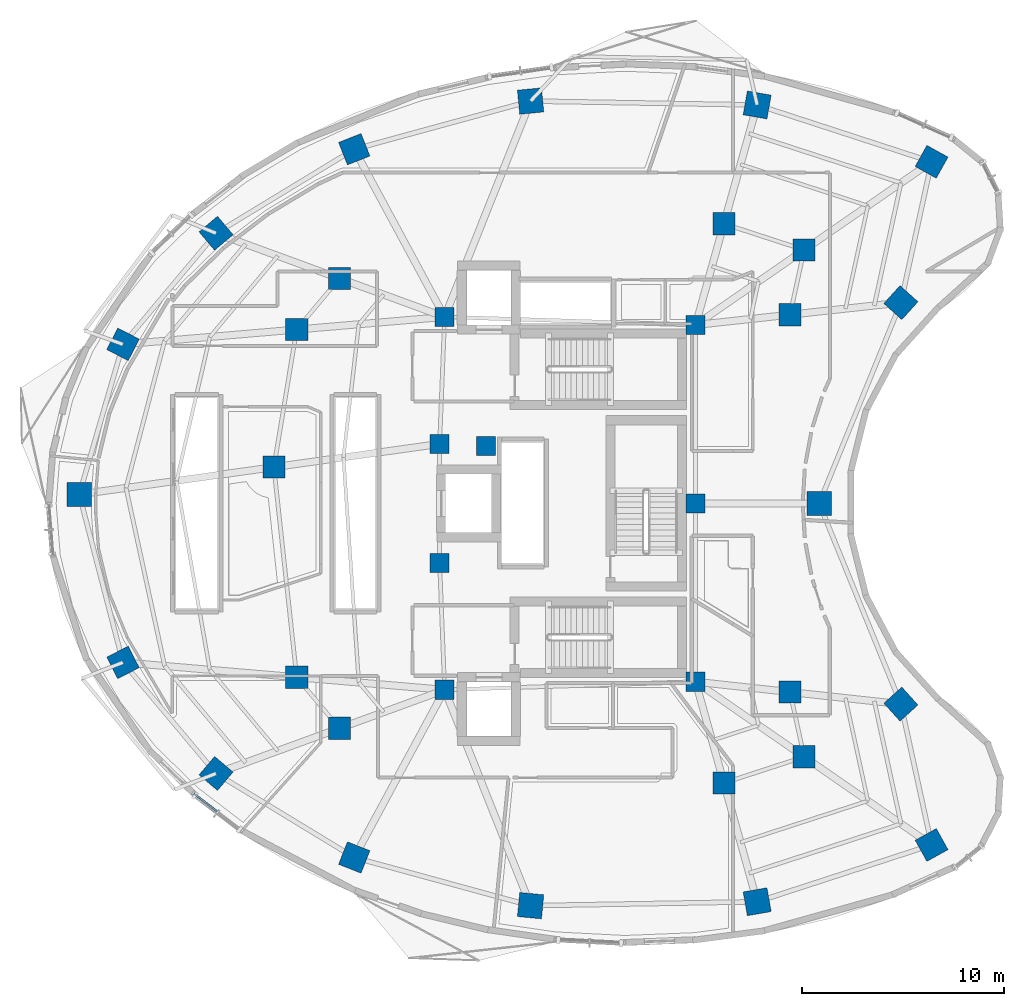
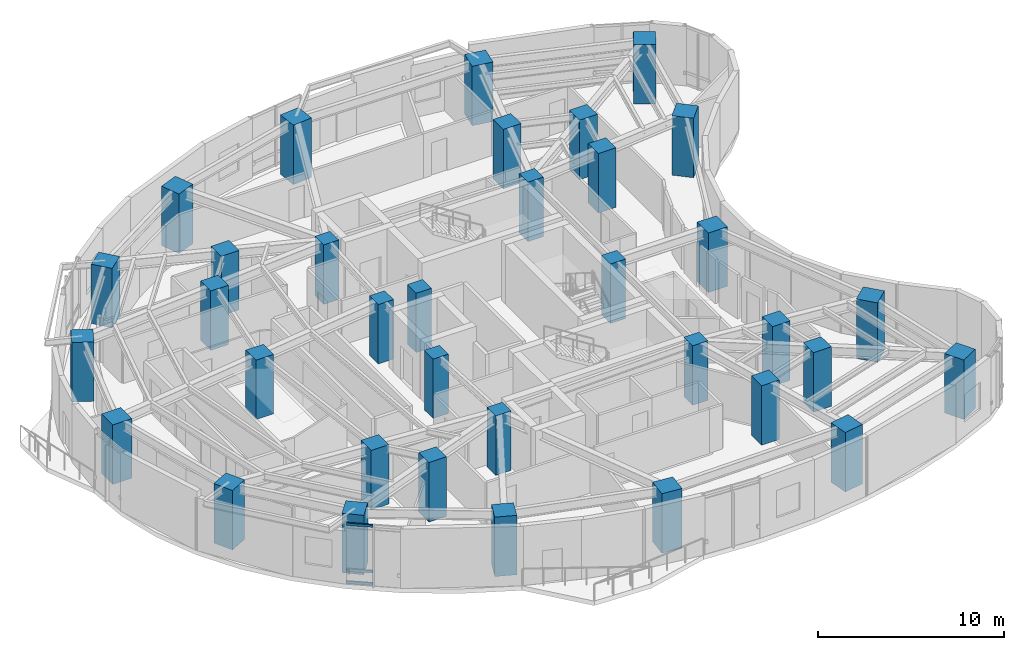
# One storey, part 1 of 15: 35 columns, 3 members, 1 element without a shape of its own.
"""IFC4 building model written with IfcOpenShell, lengths in metres."""

from ifc_helpers import new_model, si_unit, direction, frame, origin, origin_2d, place, context, subcontext, project, spatial, rectangle, extrude, material, layer, layer_set, material_profile, profile_set, type_object, element, aggregate, save


model = new_model("IFC4")

# Units and contexts
model_context = context("Model", 3, precision=1e-05, world=origin(), true_north=direction((0.0, 1.0)))
body_context = subcontext(model_context, "Body", "Model", "MODEL_VIEW")
ifc_project = project(units=[si_unit("LENGTHUNIT", "METRE"), si_unit("AREAUNIT", "SQUARE_METRE"), si_unit("VOLUMEUNIT", "CUBIC_METRE"), si_unit("PLANEANGLEUNIT", "RADIAN"), si_unit("MASSUNIT", "GRAM", prefix="KILO")], contexts=[model_context])

# Site, building, storey
site_placement = place(None, origin())
site = spatial("IfcSite", under=ifc_project, at=site_placement, CompositionType="ELEMENT")
building_placement = place(site_placement, origin())
building = spatial("IfcBuilding", under=site, at=building_placement, Name="Korentha Bioscience Tower", CompositionType="ELEMENT")
storey_placement = place(building_placement, frame((0.0, 0.0, 94.199951171875)))
storey = spatial("IfcBuildingStorey", under=building, at=storey_placement, Name="L21", CompositionType="ELEMENT", Elevation=94.199951171875)

# Columns
ifc_material_1 = material(Name="Concrete C65", Category="concrete")
ifc_material_profile_1 = material_profile(ifc_material_1, rectangle(XDim=0.949951171875, YDim=0.949951171875, at=origin_2d()), Name="Concrete C65")
ifc_profile_set_1 = profile_set([ifc_material_profile_1], Name="Concrete C65 (COL-CP09)")
column_type_1 = type_object("IfcColumnType", Name="Core Pilaster Column RC 950x950", PredefinedType="PILASTER", material=ifc_profile_set_1)
for number, where, z_axis, x_axis, name in (
    (1, (37.550048828125, 35.85009765625, -0.00048828125), (0.0, 0.0, 1.0), (1.0, 0.0, 0.0), "L21 Core Pilaster CP-01"),
    (2, (25.10009765625, 36.25, -0.00048828125), (0.0, 0.0, 1.0), (1.0, 0.0, 0.0), "L21 Core Pilaster CP-02"),
    (3, (24.85009765625, 29.949951171875, -0.00048828125), (0.0, 0.0, 1.0), (1.0, 0.0, 0.0), "L21 Core Pilaster CP-03"),
    (4, (27.14990234375, 29.85009765625, -0.00048828125), (0.0, 0.0, 1.0), (1.0, 0.0, 0.0), "L21 Core Pilaster CP-04"),
    (5, (24.85009765625, 24.050048828125, -0.00048828125), (0.0, 0.0, 1.0), (1.0, 0.0, 0.0), "L21 Core Pilaster CP-05"),
    (6, (25.10009765625, 17.75, -0.00048828125), (0.0, 0.0, 1.0), (1.0, 0.0, 0.0), "L21 Core Pilaster CP-06"),
    (7, (37.550048828125, 18.14990234375, -0.00048828125), (0.0, 0.0, 1.0), (1.0, 0.0, 0.0), "L21 Core Pilaster CP-07"),
    (8, (37.550048828125, 27.0, -0.00048828125), (0.0, 0.0, 1.0), (1.0, 0.0, 0.0), "L21 Core Pilaster CP-08"),
):
    element("IfcColumn", number, at=place(storey_placement, frame(where, z_axis=z_axis, x_axis=x_axis)), inside=storey, type_object=column_type_1, Name=name, PredefinedType="PILASTER", context=body_context, shape_type="SweptSolid", body=[
        extrude(rectangle(XDim=0.949951171875, YDim=0.949951171875, at=origin_2d()), origin(), (0.0, 0.0, 1.0), 3.901123046875),
    ])
ifc_material_2 = material(Name="Concrete C80", Category="concrete")
ifc_material_profile_2 = material_profile(ifc_material_2, rectangle(XDim=1.10009765625, YDim=1.10009765625, at=origin_2d()), Name="Concrete C80")
ifc_profile_set_2 = profile_set([ifc_material_profile_2], Name="Concrete C80 (COL-MR11)")
column_type_2 = type_object("IfcColumnType", Name="Mid-Ring Lab Column RC 1100x1100", PredefinedType="COLUMN", material=ifc_profile_set_2)
for number, where, z_axis, x_axis, name in (
    (9, (42.93603515625, 39.57470703125, -0.00048828125), (0.0, 0.0, 1.0), (1.0, 0.0, 0.0), "L21 Mid-Ring Column 01"),
    (10, (38.954833984375, 40.870849609375, -0.00048828125), (0.0, 0.0, 1.0), (1.0, 0.0, 0.0), "L21 Mid-Ring Column 02"),
    (11, (19.882568359375, 38.158935546875, -0.00048828125), (0.0, 0.0, 1.0), (1.0, 0.0, 0.0), "L21 Mid-Ring Column 05"),
    (12, (17.75927734375, 35.6240234375, -0.00048828125), (0.0, 0.0, 1.0), (1.0, 0.0, 0.0), "L21 Mid-Ring Column 06"),
    (13, (16.627197265625, 28.796630859375, -0.00048828125), (0.0, 0.0, 1.0), (1.0, 0.0, 0.0), "L21 Mid-Ring Column 07"),
    (14, (17.75927734375, 18.3759765625, -0.00048828125), (0.0, 0.0, 1.0), (1.0, 0.0, 0.0), "L21 Mid-Ring Column 08"),
    (15, (19.882568359375, 15.841064453125, -0.00048828125), (0.0, 0.0, 1.0), (1.0, 0.0, 0.0), "L21 Mid-Ring Column 09"),
    (16, (38.954833984375, 13.129150390625, -0.00048828125), (0.0, 0.0, 1.0), (1.0, 0.0, 0.0), "L21 Mid-Ring Column 12"),
    (17, (42.93603515625, 14.42529296875, -0.00048828125), (0.0, 0.0, 1.0), (1.0, 0.0, 0.0), "L21 Mid-Ring Column 13"),
    (18, (42.235595703125, 17.639404296875, -0.00048828125), (0.0, 0.0, 1.0), (1.0, 0.0, 0.0), "L21 Mid-Ring Column 14"),
    (19, (42.235595703125, 36.360595703125, -0.00048828125), (0.0, 0.0, 1.0), (1.0, 0.0, 0.0), "L21 Mid-Ring Column 16"),
):
    element("IfcColumn", number, at=place(storey_placement, frame(where, z_axis=z_axis, x_axis=x_axis)), inside=storey, type_object=column_type_2, Name=name, PredefinedType="COLUMN", context=body_context, shape_type="SweptSolid", body=[
        extrude(rectangle(XDim=1.10009765625, YDim=1.10009765625, at=origin_2d()), origin(), (0.0, 0.0, 1.0), 3.901123046875),
    ])
ifc_material_profile_3 = material_profile(ifc_material_2, rectangle(XDim=1.199951171875, YDim=1.199951171875, at=origin_2d()), Name="Concrete C80")
ifc_profile_set_3 = profile_set([ifc_material_profile_3], Name="Concrete C80 (COL-P12)")
column_type_3 = type_object("IfcColumnType", Name="Perimeter Column RC 1200x1200", PredefinedType="COLUMN", material=ifc_profile_set_3)
for number, where, z_axis, x_axis, name in (
    (20, (49.2587890625, 43.947021484375, -0.00048828125), (0.0, 0.0, 1.0), (-0.874535078577, 0.484962262797, 0.0), "L21 Perimeter Column 01"),
    (21, (40.604248046875, 46.764892578125, -0.00048828125), (0.0, 0.0, 1.0), (-0.984868307662, 0.173304404339, 0.0), "L21 Perimeter Column 02"),
    (22, (29.3642578125, 46.959228515625, -0.00048828125), (0.0, 0.0, 1.0), (0.995462868748, 0.095150811579, 0.0), "L21 Perimeter Column 03"),
    (23, (20.614990234375, 44.5693359375, -0.00048828125), (0.0, 0.0, 1.0), (0.930225540858, 0.366988341962, 0.0), "L21 Perimeter Column 04"),
    (24, (13.7578125, 40.400146484375, -0.00048828125), (0.0, 0.0, 1.0), (0.764246456939, 0.644924300253, 0.0), "L21 Perimeter Column 05"),
    (25, (9.141845703125, 34.889404296875, -0.00048828125), (0.0, 0.0, 1.0), (0.453057191132, 0.891481453292, 0.0), "L21 Perimeter Column 06"),
    (26, (6.97412109375, 27.4423828125, -0.00048828125), (0.0, 0.0, 1.0), (0.0, 1.0, 0.0), "L21 Perimeter Column 07"),
    (27, (9.141845703125, 19.110595703125, -0.00048828125), (0.0, 0.0, 1.0), (-0.453057191132, 0.891481453292, 0.0), "L21 Perimeter Column 08"),
    (28, (13.7578125, 13.599853515625, -0.00048828125), (0.0, 0.0, 1.0), (-0.764246456939, 0.644924300253, 0.0), "L21 Perimeter Column 09"),
    (29, (20.614990234375, 9.4306640625, -0.00048828125), (0.0, 0.0, 1.0), (-0.930225540858, 0.366988341962, 0.0), "L21 Perimeter Column 10"),
    (30, (29.3642578125, 7.040771484375, -0.00048828125), (0.0, 0.0, 1.0), (-0.995462868748, 0.095150811579, 0.0), "L21 Perimeter Column 11"),
    (31, (40.604248046875, 7.235107421875, -0.00048828125), (0.0, 0.0, 1.0), (0.984868307662, 0.173304404339, 0.0), "L21 Perimeter Column 12"),
    (32, (49.2587890625, 10.052978515625, -0.00048828125), (0.0, 0.0, 1.0), (0.874535078577, 0.484962262797, 0.0), "L21 Perimeter Column 13"),
    (33, (47.736083984375, 17.040283203125, -0.00048828125), (0.0, 0.0, 1.0), (-0.669130606359, 0.743144825477, 0.0), "L21 Perimeter Column 14"),
    (34, (43.680908203125, 27.0, -0.00048828125), (0.0, 0.0, 1.0), (0.0, 1.0, 0.0), "L21 Perimeter Column 15"),
    (35, (47.736083984375, 36.959716796875, -0.00048828125), (0.0, 0.0, 1.0), (0.669130606359, 0.743144825477, 0.0), "L21 Perimeter Column 16"),
):
    element("IfcColumn", number, at=place(storey_placement, frame(where, z_axis=z_axis, x_axis=x_axis)), inside=storey, type_object=column_type_3, Name=name, PredefinedType="COLUMN", context=body_context, shape_type="SweptSolid", body=[
        extrude(rectangle(XDim=1.199951171875, YDim=1.199951171875, at=origin_2d()), origin(), (0.0, 0.0, 1.0), 3.901123046875),
    ])

# Curtain wall, members
ifc_material_3 = material(Name="Thermally Broken Aluminium Frame", Category="aluminium")
ifc_layer = layer(ifc_material_3, 0.219970703125, Name="Thermally Broken Aluminium Frame")
ifc_layer_set = layer_set([ifc_layer], Name="Thermally Broken Aluminium Frame (CW-T2)")
curtain_wall_type = type_object("IfcCurtainWallType", Name="Solar-Screened Lab Unitised Curtain Wall CW-T2", PredefinedType="USERDEFINED", material=ifc_layer_set)
curtain_wall_placement = place(storey_placement, origin())
curtain_wall = element("IfcCurtainWall", 36, at=curtain_wall_placement, inside=storey, type_object=curtain_wall_type, Name="L21 Curtain Wall 25", ObjectType="UNITISED", PredefinedType="USERDEFINED")
ifc_material_4 = material(Name="Anodised Aluminium 6063-T6", Category="aluminium")
ifc_material_profile_4 = material_profile(ifc_material_4, rectangle(XDim=0.090087890625, YDim=0.159912109375, at=origin_2d()), Name="Anodised Aluminium 6063-T6")
ifc_profile_set_4 = profile_set([ifc_material_profile_4], Name="Anodised Aluminium 6063-T6 (CW-TRN)")
member_type = type_object("IfcMemberType", Name="Transom RECT 90x160", PredefinedType="USERDEFINED", material=ifc_profile_set_4)
member_1_placement = place(storey_placement, frame((12.659912109375, 12.601318359375, 0.045166015625), z_axis=(0.794559026989, -0.607186917374, 0.0), x_axis=(0.607186917374, 0.794559026989, 0.0)))
member_1 = element("IfcMember", 37, at=member_1_placement, type_object=member_type, Name="CW-L21-25 Bay 1 Transom 1", ObjectType="TRANSOM", PredefinedType="USERDEFINED", context=body_context, shape_type="SweptSolid", body=[
    extrude(rectangle(XDim=0.090087890625, YDim=0.159912109375, at=origin_2d()), origin(), (0.0, 0.0, 1.0), 1.4462890625),
])
member_2_placement = place(storey_placement, frame((12.659912109375, 12.601318359375, 0.85009765625), z_axis=(0.794559026989, -0.607186917374, 0.0), x_axis=(0.607186917374, 0.794559026989, 0.0)))
member_2 = element("IfcMember", 38, at=member_2_placement, type_object=member_type, Name="CW-L21-25 Bay 1 Transom 2", ObjectType="TRANSOM", PredefinedType="USERDEFINED", context=body_context, shape_type="SweptSolid", body=[
    extrude(rectangle(XDim=0.090087890625, YDim=0.159912109375, at=origin_2d()), origin(), (0.0, 0.0, 1.0), 1.4462890625),
])
member_3_placement = place(storey_placement, frame((12.659912109375, 12.601318359375, 3.85498046875), z_axis=(0.794559026989, -0.607186917374, 0.0), x_axis=(0.607186917374, 0.794559026989, 0.0)))
member_3 = element("IfcMember", 39, at=member_3_placement, type_object=member_type, Name="CW-L21-25 Bay 1 Transom 3", ObjectType="TRANSOM", PredefinedType="USERDEFINED", context=body_context, shape_type="SweptSolid", body=[
    extrude(rectangle(XDim=0.090087890625, YDim=0.159912109375, at=origin_2d()), origin(), (0.0, 0.0, 1.0), 1.4462890625),
])
aggregate(curtain_wall, [member_1, member_2, member_3])

save(model, "model.ifc")
